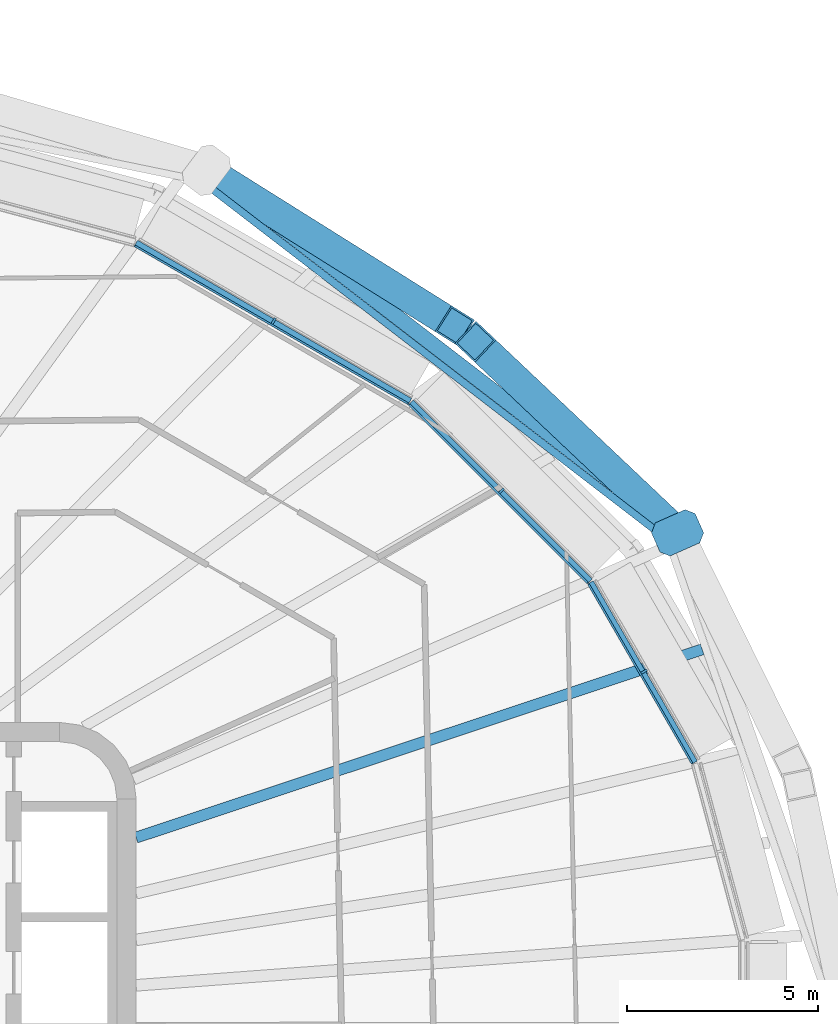
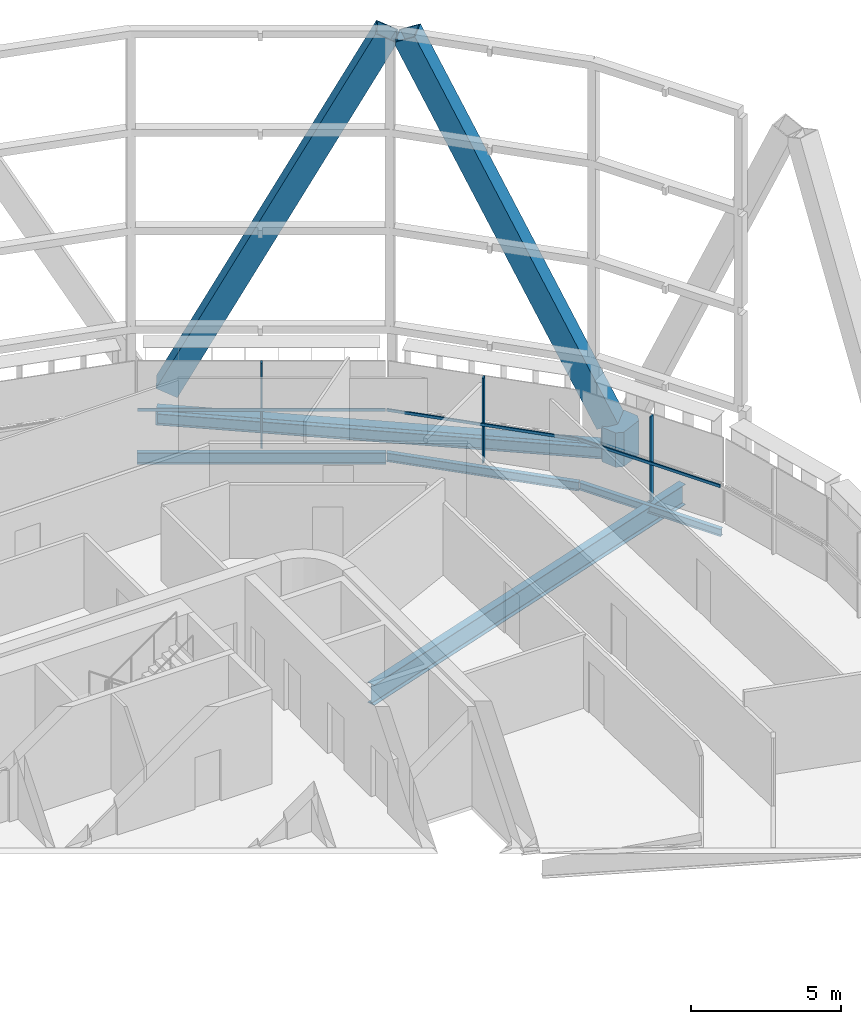
# One storey, part 8 of 25: 9 members, 6 beams, 3 elements without a shape of their own.
"""IFC4 building model written with IfcOpenShell, lengths in metres."""

from ifc_helpers import new_model, si_unit, direction, frame, origin, origin_2d, place, context, subcontext, project, spatial, polyline, rectangle, hollow_rectangle, i_section, outline, extrude, material, layer, layer_set, material_profile, profile_set, type_object, element, aggregate, save


model = new_model("IFC4")

# Units and contexts
model_context = context("Model", 3, precision=1e-05, world=origin(), true_north=direction((0.0, 1.0)))
body_context = subcontext(model_context, "Body", "Model", "MODEL_VIEW")
ifc_project = project(units=[si_unit("LENGTHUNIT", "METRE"), si_unit("AREAUNIT", "SQUARE_METRE"), si_unit("VOLUMEUNIT", "CUBIC_METRE"), si_unit("PLANEANGLEUNIT", "RADIAN"), si_unit("MASSUNIT", "GRAM", prefix="KILO")], contexts=[model_context])

# Site, building, storey
site_placement = place(None, origin())
site = spatial("IfcSite", under=ifc_project, at=site_placement, CompositionType="ELEMENT")
building_placement = place(site_placement, origin())
building = spatial("IfcBuilding", under=site, at=building_placement, Name="Sahrelin Media Tower", CompositionType="ELEMENT")
storey_placement = place(building_placement, frame((0.0, 0.0, 181.60009765625)))
storey = spatial("IfcBuildingStorey", under=building, at=storey_placement, Name="L38", CompositionType="ELEMENT", Elevation=181.60009765625)

# Members
ifc_material_1 = material(Name="Steel S460", Category="steel")
ifc_material_profile_1 = material_profile(ifc_material_1, hollow_rectangle(XDim=0.800048828125, YDim=0.800048828125, WallThickness=0.044921875, at=origin_2d()), Name="Diagrid diagonal DG5")
ifc_profile_set_1 = profile_set([ifc_material_profile_1], Name="Steel S460")
member_type_1 = type_object("IfcMemberType", Name="Diagrid diagonal DG5", PredefinedType="BRACE", material=ifc_profile_set_1)
member_1_placement = place(storey_placement, frame((28.927001953125, 13.191162109375, 0.699951171875), z_axis=(-0.312231776108, 0.295199304716, 0.90297767884), x_axis=(-0.687009358213, -0.726648568242, 0.0)))
element("IfcMember", 1, at=member_1_placement, inside=storey, type_object=member_type_1, Name="Diagrid diagonal D08-02", PredefinedType="BRACE", context=body_context, shape_type="SweptSolid", body=[
    extrude(hollow_rectangle(XDim=0.800048828125, YDim=0.800048828125, WallThickness=0.044921875, at=origin_2d()), origin(), (0.0, 0.0, 1.0), 16.16845703125),
])
member_2_placement = place(storey_placement, frame((17.13818359375, 22.26513671875, 0.699951171875), z_axis=(0.379712357752, -0.237933145117, 0.893983413619), x_axis=(0.530982186475, 0.847382981683, 0.0)))
element("IfcMember", 2, at=member_2_placement, inside=storey, type_object=member_type_1, Name="Diagrid diagonal D08-03", PredefinedType="BRACE", context=body_context, shape_type="SweptSolid", body=[
    extrude(hollow_rectangle(XDim=0.800048828125, YDim=0.800048828125, WallThickness=0.044921875, at=origin_2d()), origin(), (0.0, 0.0, 1.0), 16.331298828125),
])
ifc_material_profile_2 = material_profile(ifc_material_1, outline(polyline([(0.425048828125, -0.47509765625), (0.625, -0.27490234375), (0.625, 0.27490234375), (0.425048828125, 0.47509765625), (-0.425048828125, 0.47509765625), (-0.625, 0.27490234375), (-0.625, -0.27490234375), (-0.425048828125, -0.47509765625), (0.425048828125, -0.47509765625)])), Name="Diagrid node block 1250")
ifc_profile_set_2 = profile_set([ifc_material_profile_2], Name="Steel S460")
member_type_2 = type_object("IfcMemberType", Name="Diagrid node block 1250", PredefinedType="USERDEFINED", material=ifc_profile_set_2)
member_3_placement = place(storey_placement, frame((29.169189453125, 12.96240234375, -0.7001953125), z_axis=(0.0, 0.0, 1.0), x_axis=(0.913831317054, 0.40609398416, 0.0)))
element("IfcMember", 3, at=member_3_placement, inside=storey, type_object=member_type_2, Name="Diagrid node N08-01", ObjectType="NODE", PredefinedType="USERDEFINED", context=body_context, shape_type="SweptSolid", body=[
    extrude(outline(polyline([(0.425048828125, -0.47509765625), (0.625, -0.27490234375), (0.625, 0.27490234375), (0.425048828125, 0.47509765625), (-0.425048828125, 0.47509765625), (-0.625, 0.27490234375), (-0.625, -0.27490234375), (-0.425048828125, -0.47509765625), (0.425048828125, -0.47509765625)])), origin(), (0.0, 0.0, 1.0), 1.400146484375),
])

# Beams
ifc_material_profile_3 = material_profile(ifc_material_1, hollow_rectangle(XDim=0.39990234375, YDim=0.60009765625, WallThickness=0.030029296875, at=origin_2d()), Name="Diagrid ring beam RB1")
ifc_profile_set_3 = profile_set([ifc_material_profile_3], Name="Steel S460")
beam_type_1 = type_object("IfcBeamType", Name="Diagrid ring beam RB1", PredefinedType="BEAM", material=ifc_profile_set_3)
beam_1_placement = place(storey_placement, frame((29.169189453125, 12.96240234375, -0.4501953125), z_axis=(-0.792448358215, 0.609939012986, 0.0), x_axis=(-0.609939012986, -0.792448358215, 0.0)))
element("IfcBeam", 4, at=beam_1_placement, inside=storey, type_object=beam_type_1, Name="Diagrid ring beam RB08-01", PredefinedType="BEAM", context=body_context, shape_type="SweptSolid", body=[
    extrude(hollow_rectangle(XDim=0.39990234375, YDim=0.60009765625, WallThickness=0.030029296875, at=origin_2d()), origin(), (0.0, 0.0, 1.0), 15.557373046875),
])
ifc_material_2 = material(Name="Steel S355", Category="steel")
ifc_material_profile_4 = material_profile(ifc_material_2, i_section(OverallWidth=0.1650390625, OverallDepth=0.303466796875, WebThickness=0.006103515625, FlangeThickness=0.01025390625, FilletRadius=0.0087890625, at=origin_2d()), Name="UB 305x165x40")
ifc_profile_set_4 = profile_set([ifc_material_profile_4], Name="Steel S355")
beam_type_2 = type_object("IfcBeamType", Name="Edge beam EB2", PredefinedType="BEAM", material=ifc_profile_set_4)
beam_2_placement = place(storey_placement, frame((26.8916015625, 11.66748046875, -0.3017578125), z_axis=(0.50004975141, -0.865996677889, 0.0), x_axis=(0.865996677889, 0.50004975141, 0.0)))
element("IfcBeam", 5, at=beam_2_placement, inside=storey, type_object=beam_type_2, Name="Edge beam L38-23", PredefinedType="BEAM", context=body_context, shape_type="SweptSolid", body=[
    extrude(i_section(OverallWidth=0.1650390625, OverallDepth=0.303466796875, WebThickness=0.006103515625, FlangeThickness=0.01025390625, FilletRadius=0.0087890625, at=origin_2d()), origin(), (0.0, 0.0, 1.0), 5.4453125),
])
ifc_material_profile_5 = material_profile(ifc_material_2, i_section(OverallWidth=0.17138671875, OverallDepth=0.35498046875, WebThickness=0.00732421875, FlangeThickness=0.011474609375, FilletRadius=0.01025390625, at=origin_2d()), Name="UB 356x171x51")
ifc_profile_set_5 = profile_set([ifc_material_profile_5], Name="Steel S355")
beam_type_3 = type_object("IfcBeamType", Name="Edge beam EB3", PredefinedType="BEAM", material=ifc_profile_set_5)
beam_3_placement = place(storey_placement, frame((22.185791015625, 16.37890625, -0.32763671875), z_axis=(0.707106781187, -0.707106781187, 0.0), x_axis=(0.707106781187, 0.707106781187, 0.0)))
element("IfcBeam", 6, at=beam_3_placement, inside=storey, type_object=beam_type_3, Name="Edge beam L38-22", PredefinedType="BEAM", context=body_context, shape_type="SweptSolid", body=[
    extrude(i_section(OverallWidth=0.17138671875, OverallDepth=0.35498046875, WebThickness=0.00732421875, FlangeThickness=0.011474609375, FilletRadius=0.01025390625, at=origin_2d()), origin(), (0.0, 0.0, 1.0), 6.630615234375),
])
ifc_material_profile_6 = material_profile(ifc_material_2, i_section(OverallWidth=0.1904296875, OverallDepth=0.45703125, WebThickness=0.009033203125, FlangeThickness=0.014404296875, FilletRadius=0.01025390625, at=origin_2d()), Name="UB 457x191x74")
ifc_profile_set_6 = profile_set([ifc_material_profile_6], Name="Steel S355")
beam_type_4 = type_object("IfcBeamType", Name="Edge beam EB5", PredefinedType="BEAM", material=ifc_profile_set_6)
beam_4_placement = place(storey_placement, frame((14.9912109375, 20.537109375, -0.378662109375), z_axis=(0.866021116422, -0.500007425856, 0.0), x_axis=(0.500007425856, 0.866021116422, 0.0)))
element("IfcBeam", 7, at=beam_4_placement, inside=storey, type_object=beam_type_4, Name="Edge beam L38-21", PredefinedType="BEAM", context=body_context, shape_type="SweptSolid", body=[
    extrude(i_section(OverallWidth=0.1904296875, OverallDepth=0.45703125, WebThickness=0.009033203125, FlangeThickness=0.014404296875, FilletRadius=0.01025390625, at=origin_2d()), origin(), (0.0, 0.0, 1.0), 8.281005859375),
])

# Curtain wall, member
ifc_material_3 = material(Name="Champagne anodised aluminium 6063-T6", Category="aluminium")
ifc_layer = layer(ifc_material_3, 0.14990234375)
ifc_layer_set = layer_set([ifc_layer], Name="Tower ribbon curtain wall")
curtain_wall_type = type_object("IfcCurtainWallType", Name="Tower ribbon curtain wall", PredefinedType="NOTDEFINED", material=ifc_layer_set)
curtain_wall_1_placement = place(storey_placement, frame((28.383056640625, 9.384765625, 0.0), z_axis=(0.0, 0.0, 1.0), x_axis=(1.0, 0.0, 0.0)))
curtain_wall_1 = element("IfcCurtainWall", 8, at=curtain_wall_1_placement, inside=storey, type_object=curtain_wall_type, Name="L38:CW:L38-02", PredefinedType="NOTDEFINED")
ifc_material_profile_7 = material_profile(ifc_material_3, rectangle(XDim=0.06005859375, YDim=0.175048828125, at=origin_2d()), Name="Mullion 60x175")
ifc_profile_set_7 = profile_set([ifc_material_profile_7], Name="Champagne anodised aluminium 6063-T6")
member_type_3 = type_object("IfcMemberType", Name="Mullion 60x175 CW1B", PredefinedType="MULLION", material=ifc_profile_set_7)
member_4_placement = place(storey_placement, frame((28.289794921875, 9.330810546875, 0.0), z_axis=(0.0, 0.0, 1.0), x_axis=(-0.5, 0.866025403784, 0.0)))
member_4 = element("IfcMember", 9, at=member_4_placement, type_object=member_type_3, Name="L38:CWM:L38-02", PredefinedType="MULLION", context=body_context, shape_type="SweptSolid", body=[
    extrude(rectangle(XDim=0.06005859375, YDim=0.175048828125, at=origin_2d()), origin(), (0.0, 0.0, 1.0), 3.448486328125),
])

curtain_wall_2_placement = place(storey_placement, frame((24.635986328125, 14.140625, 0.0), z_axis=(0.0, 0.0, 1.0), x_axis=(1.0, 0.0, 0.0)))
curtain_wall_2 = element("IfcCurtainWall", 10, at=curtain_wall_2_placement, inside=storey, type_object=curtain_wall_type, Name="L38:CW:L38-03", PredefinedType="NOTDEFINED")
member_5_placement = place(storey_placement, frame((24.56005859375, 14.064697265625, 0.0), z_axis=(0.0, 0.0, 1.0), x_axis=(-0.707106781187, 0.707106781187, 0.0)))
member_5 = element("IfcMember", 11, at=member_5_placement, type_object=member_type_3, Name="L38:CWM:L38-03", PredefinedType="MULLION", context=body_context, shape_type="SweptSolid", body=[
    extrude(rectangle(XDim=0.06005859375, YDim=0.175048828125, at=origin_2d()), origin(), (0.0, 0.0, 1.0), 3.448486328125),
])

curtain_wall_3_placement = place(storey_placement, frame((18.652099609375, 18.5966796875, 0.0), z_axis=(0.0, 0.0, 1.0), x_axis=(1.0, 0.0, 0.0)))
curtain_wall_3 = element("IfcCurtainWall", 12, at=curtain_wall_3_placement, inside=storey, type_object=curtain_wall_type, Name="L38:CW:L38-04", PredefinedType="NOTDEFINED")
member_6_placement = place(storey_placement, frame((18.59814453125, 18.503662109375, 0.0), z_axis=(0.0, 0.0, 1.0), x_axis=(-0.866021040428, 0.500007557478, 0.0)))
member_6 = element("IfcMember", 13, at=member_6_placement, type_object=member_type_3, Name="L38:CWM:L38-04", PredefinedType="MULLION", context=body_context, shape_type="SweptSolid", body=[
    extrude(rectangle(XDim=0.06005859375, YDim=0.175048828125, at=origin_2d()), origin(), (0.0, 0.0, 1.0), 3.448486328125),
])

# Beams
ifc_material_profile_8 = material_profile(ifc_material_2, i_section(OverallWidth=0.291748046875, OverallDepth=0.8349609375, WebThickness=0.013916015625, FlangeThickness=0.018798828125, FilletRadius=0.017822265625, at=origin_2d()), Name="UB 838x292x176")
ifc_profile_set_8 = profile_set([ifc_material_profile_8], Name="Steel S355")
beam_type_5 = type_object("IfcBeamType", Name="Radial secondary beam SB10", PredefinedType="BEAM", material=ifc_profile_set_8)
beam_5_placement = place(storey_placement, frame((15.0, 4.987548828125, -0.567626953125), z_axis=(0.948920764558, 0.315514472869, 0.0), x_axis=(-0.315514472869, 0.948920764558, 0.0)))
element("IfcBeam", 14, at=beam_5_placement, inside=storey, type_object=beam_type_5, Name="Secondary beam L38-02", PredefinedType="BEAM", context=body_context, shape_type="SweptSolid", body=[
    extrude(i_section(OverallWidth=0.291748046875, OverallDepth=0.8349609375, WebThickness=0.013916015625, FlangeThickness=0.018798828125, FilletRadius=0.017822265625, at=origin_2d()), origin(), (0.0, 0.0, 1.0), 15.609619140625),
])
ifc_material_profile_9 = material_profile(ifc_material_2, i_section(OverallWidth=0.1904296875, OverallDepth=0.45703125, WebThickness=0.009033203125, FlangeThickness=0.014404296875, FilletRadius=0.01025390625, at=origin_2d()), Name="UB 457x191x74")
ifc_profile_set_9 = profile_set([ifc_material_profile_9], Name="Steel S355")
beam_type_6 = type_object("IfcBeamType", Name="Tie chord TC5", PredefinedType="BEAM", material=ifc_profile_set_9)
beam_6_placement = place(storey_placement, frame((16.712646484375, 22.17138671875, -0.378662109375), z_axis=(0.792439471155, -0.609950559108, 0.0), x_axis=(0.609950559108, 0.792439471155, 0.0)))
element("IfcBeam", 15, at=beam_6_placement, inside=storey, type_object=beam_type_6, Name="Tie chord L38-11", PredefinedType="BEAM", context=body_context, shape_type="SweptSolid", body=[
    extrude(i_section(OverallWidth=0.1904296875, OverallDepth=0.45703125, WebThickness=0.009033203125, FlangeThickness=0.014404296875, FilletRadius=0.01025390625, at=origin_2d()), origin(), (0.0, 0.0, 1.0), 15.3984375),
])

# Member
ifc_material_profile_10 = material_profile(ifc_material_3, rectangle(XDim=0.050048828125, YDim=0.110107421875, at=origin_2d()), Name="Transom 50x110")
ifc_profile_set_10 = profile_set([ifc_material_profile_10], Name="Champagne anodised aluminium 6063-T6")
member_type_4 = type_object("IfcMemberType", Name="Transom 50x110 CW1B", PredefinedType="USERDEFINED", material=ifc_profile_set_10)
member_7_placement = place(storey_placement, frame((29.5458984375, 6.930419921875, 1.599853515625), z_axis=(-0.499985301743, 0.866033889661, 0.0), x_axis=(-0.866033889661, -0.499985301743, 0.0)))
member_7 = element("IfcMember", 16, at=member_7_placement, type_object=member_type_4, Name="L38:CWT:L38-02", ObjectType="TRANSOM", PredefinedType="USERDEFINED", context=body_context, shape_type="SweptSolid", body=[
    extrude(rectangle(XDim=0.050048828125, YDim=0.110107421875, at=origin_2d()), origin(), (0.0, 0.0, 1.0), 5.413818359375),
])

aggregate(curtain_wall_1, [member_4, member_7])

member_8_placement = place(storey_placement, frame((26.813720703125, 11.652099609375, 1.599853515625), z_axis=(-0.707125278519, 0.70708828337, 0.0), x_axis=(-0.70708828337, -0.707125278519, 0.0)))
member_8 = element("IfcMember", 17, at=member_8_placement, type_object=member_type_4, Name="L38:CWT:L38-03", ObjectType="TRANSOM", PredefinedType="USERDEFINED", context=body_context, shape_type="SweptSolid", body=[
    extrude(rectangle(XDim=0.050048828125, YDim=0.110107421875, at=origin_2d()), origin(), (0.0, 0.0, 1.0), 6.599365234375),
])

aggregate(curtain_wall_2, [member_5, member_8])

member_9_placement = place(storey_placement, frame((22.1142578125, 16.34375, 1.599853515625), z_axis=(-0.866032814021, 0.499987164874, 0.0), x_axis=(-0.499987164874, -0.866032814021, 0.0)))
member_9 = element("IfcMember", 18, at=member_9_placement, type_object=member_type_4, Name="L38:CWT:L38-04", ObjectType="TRANSOM", PredefinedType="USERDEFINED", context=body_context, shape_type="SweptSolid", body=[
    extrude(rectangle(XDim=0.050048828125, YDim=0.110107421875, at=origin_2d()), origin(), (0.0, 0.0, 1.0), 8.249755859375),
])

aggregate(curtain_wall_3, [member_6, member_9])

save(model, "model.ifc")
